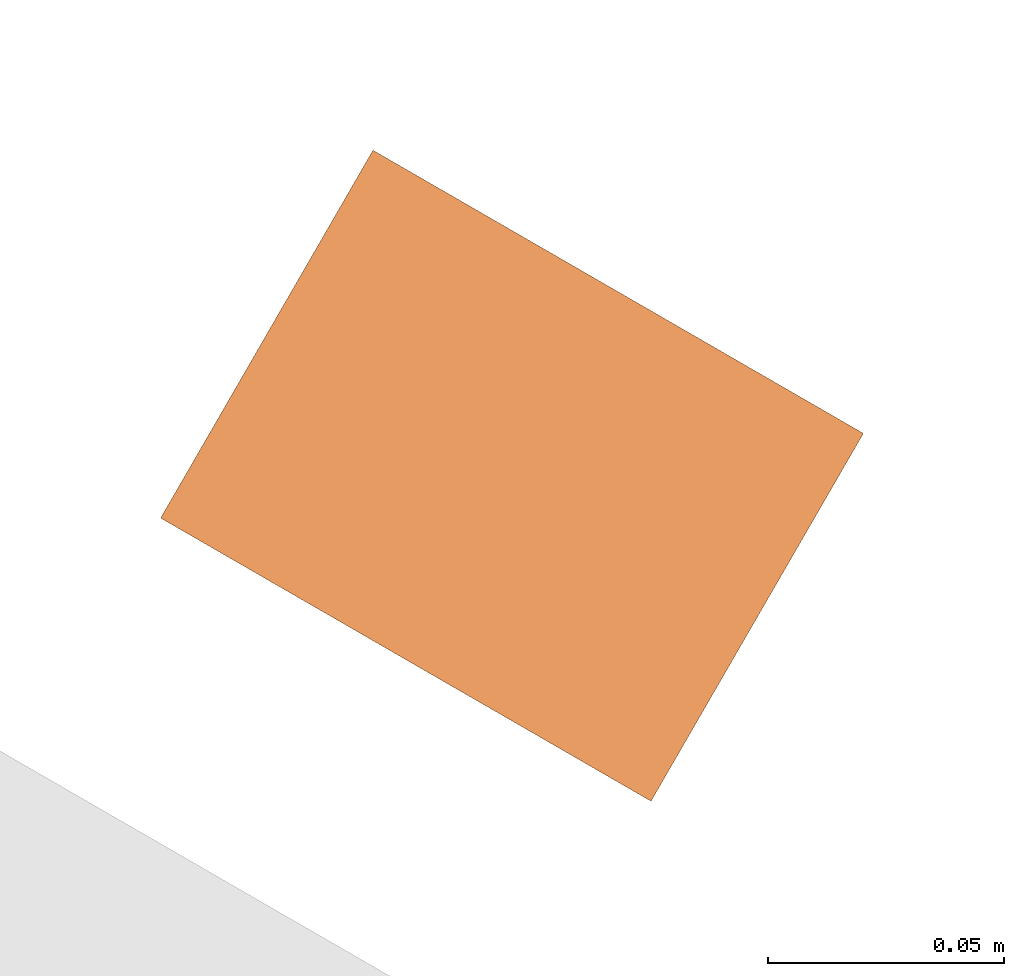
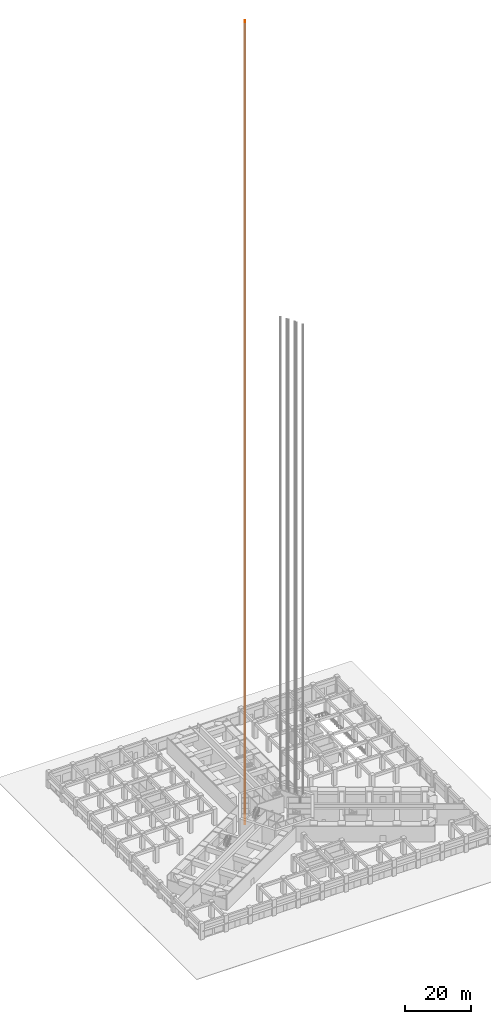
# One storey, part 31 of 33: 1 proxy.
"""IFC4 building model written with IfcOpenShell, lengths in metres."""

import ifcopenshell
import ifcopenshell.guid

model = None  # the IFC model being written
_history = None  # IfcOwnerHistory: only IFC2X3 demands one
_inside = {}  # id of a spatial element -> (the spatial element, [elements in it])
_under = {}  # id of a project, library or spatial element -> (it, [spatial elements below it])
_declared = {}  # id of a project -> (the project, [libraries it declares])
_typed = {}  # id of a type object -> (the type object, [elements of that type])
_made_of = {}  # id of a material, layer set ... -> (it, [elements and type objects made of it])


def new_model(schema):
    """Start an empty IFC model of exactly this schema.

    Asked for "IFC4X3", IfcOpenShell would pick the latest addendum, in which some entities
    have other attributes; the version numbers below select the first issue.
    IFC2X3 requires an IfcOwnerHistory on every rooted entity: one is made here for all.
    """
    global model, _history
    if schema == "IFC4X3":
        model = ifcopenshell.file(schema_version=(4, 3, 0, 0))
    else:
        model = ifcopenshell.file(schema=schema)
    _inside.clear()
    _under.clear()
    _declared.clear()
    _typed.clear()
    _made_of.clear()
    _history = None
    if model.schema == "IFC2X3":
        org = make("IfcOrganization", Name="unknown")
        user = make(
            "IfcPersonAndOrganization",
            ThePerson=make("IfcPerson", FamilyName="unknown"),
            TheOrganization=org,
        )
        app = make(
            "IfcApplication",
            ApplicationDeveloper=org,
            Version="unknown",
            ApplicationFullName="unknown",
            ApplicationIdentifier="unknown",
        )
        _history = make(
            "IfcOwnerHistory",
            OwningUser=user,
            OwningApplication=app,
            ChangeAction="ADDED",
            CreationDate=0,
        )
    return model


def make(cls, **values):
    """One entity of the class cls with the attributes given. An attribute that is None is left unset."""
    return model.create_entity(
        cls, **{name: value for name, value in values.items() if value is not None}
    )


def rooted(cls, **values):
    """An entity with a GlobalId (a new one), such as an element, a storey or a relation."""
    return make(cls, GlobalId=ifcopenshell.guid.new(), OwnerHistory=_history, **values)


def si_unit(unit_type, name, prefix=None):
    """IfcSIUnit, for example si_unit("LENGTHUNIT", "METRE", prefix="MILLI")."""
    return make("IfcSIUnit", UnitType=unit_type, Prefix=prefix, Name=name)


def assignment(units):
    """IfcUnitAssignment: the units of a project."""
    return None if units is None else make("IfcUnitAssignment", Units=units)


def point(xyz):
    """IfcCartesianPoint."""
    return None if xyz is None else make("IfcCartesianPoint", Coordinates=xyz)


def direction(xyz):
    """IfcDirection."""
    return None if xyz is None else make("IfcDirection", DirectionRatios=xyz)


def frame(location, z_axis=None, x_axis=None):
    """IfcAxis2Placement3D, a coordinate frame: its origin and axes. An axis left out is left unset."""
    return make(
        "IfcAxis2Placement3D",
        Location=point(location),
        Axis=direction(z_axis),
        RefDirection=direction(x_axis),
    )


def frame_2d(location, x_axis=None):
    """IfcAxis2Placement2D, a coordinate frame in the plane: its origin and x axis."""
    return make(
        "IfcAxis2Placement2D", Location=point(location), RefDirection=direction(x_axis)
    )


def origin():
    """The frame at (0, 0, 0) with its axes left unset."""
    return frame((0.0, 0.0, 0.0))


def origin_2d():
    """The frame at (0, 0) in the plane with its x axis left unset."""
    return frame_2d((0.0, 0.0))


def place(relative_to, where):
    """IfcLocalPlacement: puts the frame where relative to a parent placement (None: the world)."""
    return make(
        "IfcLocalPlacement", PlacementRelTo=relative_to, RelativePlacement=where
    )


def context(
    kind, dimensions, precision=None, world=None, true_north=None, identifier=None
):
    """IfcGeometricRepresentationContext, for example the 3D "Model" context."""
    return make(
        "IfcGeometricRepresentationContext",
        ContextIdentifier=identifier,
        ContextType=kind,
        CoordinateSpaceDimension=dimensions,
        Precision=precision,
        WorldCoordinateSystem=world,
        TrueNorth=true_north,
    )


def subcontext(parent, identifier, kind, view, scale=None):
    """IfcGeometricRepresentationSubContext, for example "Body" below "Model"."""
    return make(
        "IfcGeometricRepresentationSubContext",
        ContextIdentifier=identifier,
        ContextType=kind,
        ParentContext=parent,
        TargetScale=scale,
        TargetView=view,
    )


def project(units=None, contexts=None):
    """IfcProject with its units and contexts."""
    return rooted(
        "IfcProject",
        Name="project",
        RepresentationContexts=contexts,
        UnitsInContext=assignment(units),
    )


def spatial(cls, under=None, at=None, **own):
    """A site, building, storey or space (cls), placed at a placement, below another one or the project."""
    s = rooted(cls, ObjectPlacement=at, **own)
    if under is not None:
        _under.setdefault(under.id(), (under, []))[1].append(s)
    return s


def profile(cls, at=None, kind="AREA", **sizes):
    """A parametric profile (cls). Its sizes go by their IFC names, for example OverallWidth=200.0."""
    return make(cls, ProfileType=kind, Position=at, **sizes)


def rectangle(**sizes):
    """IfcRectangleProfileDef."""
    return profile("IfcRectangleProfileDef", **sizes)


def extrude(swept, where, along, depth):
    """IfcExtrudedAreaSolid: the profile swept, set in the frame where, extruded along a direction by depth."""
    return make(
        "IfcExtrudedAreaSolid",
        SweptArea=swept,
        Position=where,
        ExtrudedDirection=direction(along),
        Depth=depth,
    )


def shape(context_of_items, identifier, shape_type, items):
    """IfcShapeRepresentation: the items that make up one representation, for example the "Body"."""
    return make(
        "IfcShapeRepresentation",
        ContextOfItems=context_of_items,
        RepresentationIdentifier=identifier,
        RepresentationType=shape_type,
        Items=items,
    )


def material(Name=None, Category=None):
    """IfcMaterial."""
    return make("IfcMaterial", Name=Name, Category=Category)


def made_of(thing, what):
    """Note that an element or type object is made of a material, layer set ...; save() writes the relation."""
    if what is not None:
        _made_of.setdefault(what.id(), (what, []))[1].append(thing)
    return thing


def type_object(cls, material=None, **own):
    """A type object (cls), such as IfcWallType, which elements share."""
    return made_of(rooted(cls, **own), material)


def element(
    cls,
    number,
    at=None,
    inside=None,
    cuts=None,
    type_object=None,
    material=None,
    context=None,
    identifier="Body",
    shape_type=None,
    held_by="IfcProductDefinitionShape",
    body=None,
    shapes=None,
    **own,
):
    """One element of the class cls, such as IfcWall. Its Tag is "e" and its number.

    at: its placement. inside: the storey or other place that contains it. cuts: it is an
    opening in that element (IfcRelVoidsElement). A single representation is given by context,
    identifier, shape_type and body (its items); several are given by shapes. held_by: the class
    of the entity that holds the representations. save() writes the other relations.
    """
    e = rooted(cls, Tag="e%d" % number, ObjectPlacement=at, **own)
    if body is not None:
        shapes = [shape(context, identifier, shape_type, body)]
    if shapes is not None:
        e.Representation = make(held_by, Representations=shapes)
    if inside is not None:
        _inside.setdefault(inside.id(), (inside, []))[1].append(e)
    if cuts is not None:
        rooted(
            "IfcRelVoidsElement", RelatingBuildingElement=cuts, RelatedOpeningElement=e
        )
    if type_object is not None:
        _typed.setdefault(type_object.id(), (type_object, []))[1].append(e)
    return made_of(e, material)


def aggregate(whole, parts):
    """IfcRelAggregates: a whole, such as a stair, and the parts it consists of."""
    return rooted("IfcRelAggregates", RelatingObject=whole, RelatedObjects=parts)


def save(model, path):
    """Write the relations noted so far, then the file.

    IfcRelAggregates (storeys below a building ...), IfcRelContainedInSpatialStructure (elements
    in a storey), IfcRelDefinesByType, IfcRelAssociatesMaterial and IfcRelDeclares: one each for
    every whole, place, type object, material and project.
    """
    for whole, parts in _under.values():
        aggregate(whole, parts)
    for where, things in _inside.values():
        rooted(
            "IfcRelContainedInSpatialStructure",
            RelatedElements=things,
            RelatingStructure=where,
        )
    for kind, things in _typed.values():
        rooted("IfcRelDefinesByType", RelatedObjects=things, RelatingType=kind)
    for what, things in _made_of.values():
        rooted("IfcRelAssociatesMaterial", RelatedObjects=things, RelatingMaterial=what)
    for by, libraries in _declared.values():
        rooted("IfcRelDeclares", RelatingContext=by, RelatedDefinitions=libraries)
    model.write(path)


model = new_model("IFC4")

# Units and contexts
model_context = context("Model", 3, precision=1e-05, world=origin(), true_north=direction((0.0, 1.0)))
body_context = subcontext(model_context, "Body", "Model", "MODEL_VIEW")
ifc_project = project(units=[si_unit("LENGTHUNIT", "METRE"), si_unit("AREAUNIT", "SQUARE_METRE"), si_unit("VOLUMEUNIT", "CUBIC_METRE"), si_unit("PLANEANGLEUNIT", "RADIAN"), si_unit("MASSUNIT", "GRAM", prefix="KILO")], contexts=[model_context])

# Site, building, storey
site_placement = place(None, origin())
site = spatial("IfcSite", under=ifc_project, at=site_placement, CompositionType="ELEMENT")
building_placement = place(site_placement, origin())
building = spatial("IfcBuilding", under=site, at=building_placement, Name="Impinga Residences", CompositionType="ELEMENT")
storey_placement = place(building_placement, origin())
storey = spatial("IfcBuildingStorey", under=building, at=storey_placement, Name="L00", CompositionType="ELEMENT", Elevation=0.0)

# Proxy
ifc_material = material(Name="Steel lift guide rail, galvanised", Category="steel")
building_element_proxy_type = type_object("IfcBuildingElementProxyType", Name="LGR lift guide rail", PredefinedType="USERDEFINED", material=ifc_material)
proxy_placement = place(storey_placement, frame((-6.172119140625, 8.072509765625, -3.5), z_axis=(0.0, 0.0, 1.0), x_axis=(-0.5, -0.866025403784, 0.0)))
element("IfcBuildingElementProxy", 1, at=proxy_placement, inside=storey, type_object=building_element_proxy_type, Name="Guide rail P9 1", ObjectType="Lift guide rail", PredefinedType="USERDEFINED", context=body_context, shape_type="SweptSolid", body=[
    extrude(rectangle(XDim=0.090087890625, YDim=0.1201171875, at=origin_2d()), origin(), (0.0, 0.0, 1.0), 297.449951171875),
])

save(model, "model.ifc")
